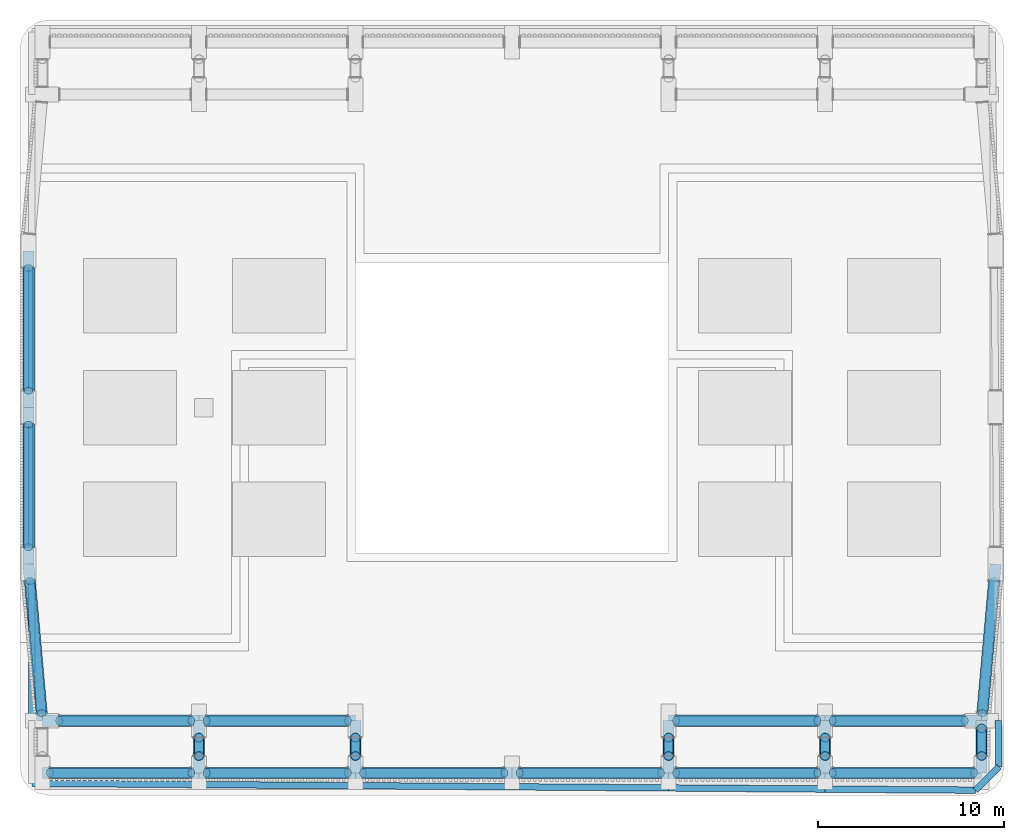
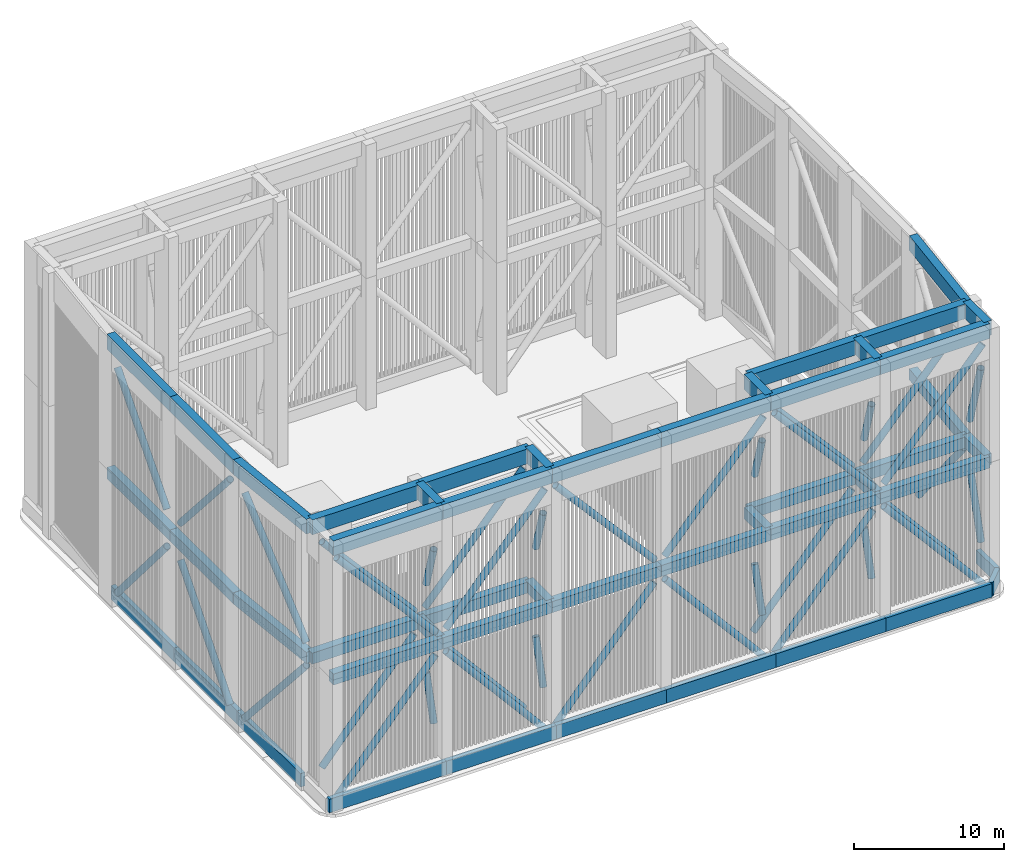
# One storey, part 2 of 27: 49 beams, 37 members.
"""IFC4 building model written with IfcOpenShell, lengths in metres."""

from ifc_helpers import new_model, si_unit, direction, frame, origin, origin_2d, place, context, subcontext, project, spatial, rectangle, hollow_circle, extrude, material, material_profile, profile_set, type_object, element, save


model = new_model("IFC4")

# Units and contexts
model_context = context("Model", 3, precision=1e-05, world=origin(), true_north=direction((0.0, 1.0)))
body_context = subcontext(model_context, "Body", "Model", "MODEL_VIEW")
ifc_project = project(units=[si_unit("LENGTHUNIT", "METRE"), si_unit("AREAUNIT", "SQUARE_METRE"), si_unit("VOLUMEUNIT", "CUBIC_METRE"), si_unit("PLANEANGLEUNIT", "RADIAN"), si_unit("MASSUNIT", "GRAM", prefix="KILO")], contexts=[model_context])

# Site, building, storey
site_placement = place(None, origin())
site = spatial("IfcSite", under=ifc_project, at=site_placement, CompositionType="ELEMENT")
building_placement = place(site_placement, origin())
building = spatial("IfcBuilding", under=site, at=building_placement, Name="Claustro Exchange Tower", CompositionType="ELEMENT")
storey_placement = place(building_placement, frame((0.0, 0.0, 287.10009765625)))
storey = spatial("IfcBuildingStorey", under=building, at=storey_placement, Name="ROOF", CompositionType="ELEMENT", Elevation=287.10009765625)

# Beams
ifc_material_1 = material(Name="Concrete HA-50 (C50/60)", Category="concrete")
ifc_material_profile_1 = material_profile(ifc_material_1, rectangle(XDim=0.60009765625, YDim=0.89990234375, at=origin_2d()), Name="RC 600x900")
ifc_profile_set_1 = profile_set([ifc_material_profile_1], Name="Concrete HA-50 (C50/60)")
beam_type_1 = type_object("IfcBeamType", Name="CF2 RC 600x900 crown frame ring beam", PredefinedType="BEAM", material=ifc_profile_set_1)
beam_1_placement = place(storey_placement, frame((0.0, 5.60009765625, 10.349853515625), z_axis=(1.0, 0.0, 0.0), x_axis=(0.0, 1.0, 0.0)))
element("IfcBeam", 1, at=beam_1_placement, inside=storey, type_object=beam_type_1, Name="CROWN FRAME ring beam CF2", PredefinedType="BEAM", context=body_context, shape_type="SweptSolid", body=[
    extrude(rectangle(XDim=0.60009765625, YDim=0.89990234375, at=origin_2d()), origin(), (0.0, 0.0, 1.0), 8.39990234375),
])
beam_2_placement = place(storey_placement, frame((8.39990234375, 5.60009765625, 10.349853515625), z_axis=(1.0, 0.0, 0.0), x_axis=(0.0, 1.0, 0.0)))
element("IfcBeam", 2, at=beam_2_placement, inside=storey, type_object=beam_type_1, Name="CROWN FRAME ring beam CF2", PredefinedType="BEAM", context=body_context, shape_type="SweptSolid", body=[
    extrude(rectangle(XDim=0.60009765625, YDim=0.89990234375, at=origin_2d()), origin(), (0.0, 0.0, 1.0), 8.400146484375),
])
beam_3_placement = place(storey_placement, frame((16.800048828125, 5.60009765625, 10.349853515625), z_axis=(1.0, 0.0, 0.0), x_axis=(0.0, 1.0, 0.0)))
element("IfcBeam", 3, at=beam_3_placement, inside=storey, type_object=beam_type_1, Name="CROWN FRAME ring beam CF2", PredefinedType="BEAM", context=body_context, shape_type="SweptSolid", body=[
    extrude(rectangle(XDim=0.60009765625, YDim=0.89990234375, at=origin_2d()), origin(), (0.0, 0.0, 1.0), 8.39990234375),
])
beam_4_placement = place(storey_placement, frame((25.199951171875, 5.60009765625, 10.349853515625), z_axis=(1.0, 0.0, 0.0), x_axis=(0.0, 1.0, 0.0)))
element("IfcBeam", 4, at=beam_4_placement, inside=storey, type_object=beam_type_1, Name="CROWN FRAME ring beam CF2", PredefinedType="BEAM", context=body_context, shape_type="SweptSolid", body=[
    extrude(rectangle(XDim=0.60009765625, YDim=0.89990234375, at=origin_2d()), origin(), (0.0, 0.0, 1.0), 8.400146484375),
])
for number, where, z_axis, x_axis, name in (
    (5, (33.60009765625, 5.60009765625, 10.349853515625), (1.0, 0.0, 0.0), (0.0, 1.0, 0.0), "CROWN FRAME ring beam CF2"),
    (6, (42.0, 5.60009765625, 10.349853515625), (1.0, 0.0, 0.0), (0.0, 1.0, 0.0), "CROWN FRAME ring beam CF2"),
):
    element("IfcBeam", number, at=place(storey_placement, frame(where, z_axis=z_axis, x_axis=x_axis)), inside=storey, type_object=beam_type_1, Name=name, PredefinedType="BEAM", context=body_context, shape_type="SweptSolid", body=[
        extrude(rectangle(XDim=0.60009765625, YDim=0.89990234375, at=origin_2d()), origin(), (0.0, 0.0, 1.0), 8.39990234375),
    ])
beam_5_placement = place(storey_placement, frame((0.0, 8.39990234375, 10.349853515625), z_axis=(-0.088930399417, 0.996037842685, 0.0), x_axis=(-0.996037842685, -0.088930399417, 0.0)))
element("IfcBeam", 7, at=beam_5_placement, inside=storey, type_object=beam_type_1, Name="CROWN FRAME ring beam CF2", PredefinedType="BEAM", context=body_context, shape_type="SweptSolid", body=[
    extrude(rectangle(XDim=0.60009765625, YDim=0.89990234375, at=origin_2d()), origin(), (0.0, 0.0, 1.0), 8.43359375),
])
beam_6_placement = place(storey_placement, frame((-0.75, 16.800048828125, 10.349853515625), z_axis=(0.0, 1.0, 0.0), x_axis=(-1.0, 0.0, 0.0)))
element("IfcBeam", 8, at=beam_6_placement, inside=storey, type_object=beam_type_1, Name="CROWN FRAME ring beam CF2", PredefinedType="BEAM", context=body_context, shape_type="SweptSolid", body=[
    extrude(rectangle(XDim=0.60009765625, YDim=0.89990234375, at=origin_2d()), origin(), (0.0, 0.0, 1.0), 8.39990234375),
])
beam_7_placement = place(storey_placement, frame((-0.75, 25.199951171875, 10.349853515625), z_axis=(0.0, 1.0, 0.0), x_axis=(-1.0, 0.0, 0.0)))
element("IfcBeam", 9, at=beam_7_placement, inside=storey, type_object=beam_type_1, Name="CROWN FRAME ring beam CF2", PredefinedType="BEAM", context=body_context, shape_type="SweptSolid", body=[
    extrude(rectangle(XDim=0.60009765625, YDim=0.89990234375, at=origin_2d()), origin(), (0.0, 0.0, 1.0), 8.400146484375),
])
beam_8_placement = place(storey_placement, frame((50.39990234375, 5.60009765625, 10.349853515625), z_axis=(0.0, 1.0, 0.0), x_axis=(-1.0, 0.0, 0.0)))
element("IfcBeam", 10, at=beam_8_placement, inside=storey, type_object=beam_type_1, Name="CROWN FRAME ring beam CF2", PredefinedType="BEAM", context=body_context, shape_type="SweptSolid", body=[
    extrude(rectangle(XDim=0.60009765625, YDim=0.89990234375, at=origin_2d()), origin(), (0.0, 0.0, 1.0), 2.7998046875),
])
beam_9_placement = place(storey_placement, frame((50.39990234375, 8.39990234375, 10.349853515625), z_axis=(0.088930399417, 0.996037842685, 0.0), x_axis=(-0.996037842685, 0.088930399417, 0.0)))
element("IfcBeam", 11, at=beam_9_placement, inside=storey, type_object=beam_type_1, Name="CROWN FRAME ring beam CF2", PredefinedType="BEAM", context=body_context, shape_type="SweptSolid", body=[
    extrude(rectangle(XDim=0.60009765625, YDim=0.89990234375, at=origin_2d()), origin(), (0.0, 0.0, 1.0), 8.43359375),
])
beam_10_placement = place(storey_placement, frame((0.0, 8.39990234375, 10.349853515625), z_axis=(1.0, 0.0, 0.0), x_axis=(0.0, 1.0, 0.0)))
element("IfcBeam", 12, at=beam_10_placement, inside=storey, type_object=beam_type_1, Name="CROWN FRAME ring beam CF2", PredefinedType="BEAM", context=body_context, shape_type="SweptSolid", body=[
    extrude(rectangle(XDim=0.60009765625, YDim=0.89990234375, at=origin_2d()), origin(), (0.0, 0.0, 1.0), 8.39990234375),
])
beam_11_placement = place(storey_placement, frame((8.39990234375, 8.39990234375, 10.349853515625), z_axis=(1.0, 0.0, 0.0), x_axis=(0.0, 1.0, 0.0)))
element("IfcBeam", 13, at=beam_11_placement, inside=storey, type_object=beam_type_1, Name="CROWN FRAME ring beam CF2", PredefinedType="BEAM", context=body_context, shape_type="SweptSolid", body=[
    extrude(rectangle(XDim=0.60009765625, YDim=0.89990234375, at=origin_2d()), origin(), (0.0, 0.0, 1.0), 8.400146484375),
])
for number, where, z_axis, x_axis, name in (
    (14, (33.60009765625, 8.39990234375, 10.349853515625), (1.0, 0.0, 0.0), (0.0, 1.0, 0.0), "CROWN FRAME ring beam CF2"),
    (15, (42.0, 8.39990234375, 10.349853515625), (1.0, 0.0, 0.0), (0.0, 1.0, 0.0), "CROWN FRAME ring beam CF2"),
):
    element("IfcBeam", number, at=place(storey_placement, frame(where, z_axis=z_axis, x_axis=x_axis)), inside=storey, type_object=beam_type_1, Name=name, PredefinedType="BEAM", context=body_context, shape_type="SweptSolid", body=[
        extrude(rectangle(XDim=0.60009765625, YDim=0.89990234375, at=origin_2d()), origin(), (0.0, 0.0, 1.0), 8.39990234375),
    ])
for number, where, z_axis, x_axis, name in (
    (16, (8.39990234375, 5.60009765625, 10.349853515625), (0.0, 1.0, 0.0), (-1.0, 0.0, 0.0), "CROWN FRAME ring beam CF2"),
    (17, (16.800048828125, 5.60009765625, 10.349853515625), (0.0, 1.0, 0.0), (-1.0, 0.0, 0.0), "CROWN FRAME ring beam CF2"),
    (18, (33.60009765625, 5.60009765625, 10.349853515625), (0.0, 1.0, 0.0), (-1.0, 0.0, 0.0), "CROWN FRAME ring beam CF2"),
    (19, (42.0, 5.60009765625, 10.349853515625), (0.0, 1.0, 0.0), (-1.0, 0.0, 0.0), "CROWN FRAME ring beam CF2"),
):
    element("IfcBeam", number, at=place(storey_placement, frame(where, z_axis=z_axis, x_axis=x_axis)), inside=storey, type_object=beam_type_1, Name=name, PredefinedType="BEAM", context=body_context, shape_type="SweptSolid", body=[
        extrude(rectangle(XDim=0.60009765625, YDim=0.89990234375, at=origin_2d()), origin(), (0.0, 0.0, 1.0), 2.7998046875),
    ])

# Members
ifc_material_2 = material(Name="Steel S355", Category="steel")
ifc_material_profile_2 = material_profile(ifc_material_2, hollow_circle(Radius=0.25390625, WallThickness=0.02490234375, at=origin_2d()), Name="CHS 508x25")
ifc_profile_set_2 = profile_set([ifc_material_profile_2], Name="Steel S355")
member_type = type_object("IfcMemberType", Name="CF3 CHS 508x25 crown frame brace", PredefinedType="BRACE", material=ifc_profile_set_2)
for number, where, z_axis, x_axis, name in (
    (20, (0.405029296875, 5.60009765625, 0.477294921875), (0.646983681382, 0.0, 0.762503846564), (0.0, 1.0, 0.0), "CROWN FRAME brace CF3 lower"),
    (21, (16.39501953125, 5.60009765625, 0.477294921875), (-0.646983681382, 0.0, 0.762503846564), (0.0, -1.0, 0.0), "CROWN FRAME brace CF3 lower"),
    (22, (17.205078125, 5.60009765625, 0.477294921875), (0.646971581548, 0.0, 0.762514113095), (0.0, 1.0, 0.0), "CROWN FRAME brace CF3 lower"),
    (23, (33.195068359375, 5.60009765625, 0.477294921875), (-0.646983681382, 0.0, 0.762503846564), (0.0, -1.0, 0.0), "CROWN FRAME brace CF3 lower"),
    (24, (34.0048828125, 5.60009765625, 0.477294921875), (0.646983681382, 0.0, 0.762503846564), (0.0, 1.0, 0.0), "CROWN FRAME brace CF3 lower"),
    (25, (49.9951171875, 5.60009765625, 0.477294921875), (-0.646983681382, 0.0, 0.762503846564), (0.0, -1.0, 0.0), "CROWN FRAME brace CF3 lower"),
):
    element("IfcMember", number, at=place(storey_placement, frame(where, z_axis=z_axis, x_axis=x_axis)), inside=storey, type_object=member_type, Name=name, PredefinedType="BRACE", context=body_context, shape_type="SweptSolid", body=[
        extrude(hollow_circle(Radius=0.25390625, WallThickness=0.02490234375, at=origin_2d()), origin(), (0.0, 0.0, 1.0), 11.7314453125),
    ])
member_1_placement = place(storey_placement, frame((-0.669189453125, 15.89501953125, 1.06640625), z_axis=(0.057670787819, -0.645899478998, 0.761241054635), x_axis=(0.996037542559, 0.088933760816, 0.0)))
element("IfcMember", 26, at=member_1_placement, inside=storey, type_object=member_type, Name="CROWN FRAME brace CF3 lower", PredefinedType="BRACE", context=body_context, shape_type="SweptSolid", body=[
    extrude(hollow_circle(Radius=0.25390625, WallThickness=0.02490234375, at=origin_2d()), origin(), (0.0, 0.0, 1.0), 10.97705078125),
])
member_2_placement = place(storey_placement, frame((-0.75, 17.705078125, 1.06640625), z_axis=(0.0, 0.646965623684, 0.762519168134), x_axis=(-1.0, 0.0, 0.0)))
element("IfcMember", 27, at=member_2_placement, inside=storey, type_object=member_type, Name="CROWN FRAME brace CF3 lower", PredefinedType="BRACE", context=body_context, shape_type="SweptSolid", body=[
    extrude(hollow_circle(Radius=0.25390625, WallThickness=0.02490234375, at=origin_2d()), origin(), (0.0, 0.0, 1.0), 10.185791015625),
])
member_3_placement = place(storey_placement, frame((-0.75, 32.695068359375, 1.06640625), z_axis=(0.0, -0.646979559666, 0.762507343817), x_axis=(1.0, 0.0, 0.0)))
element("IfcMember", 28, at=member_3_placement, inside=storey, type_object=member_type, Name="CROWN FRAME brace CF3 lower", PredefinedType="BRACE", context=body_context, shape_type="SweptSolid", body=[
    extrude(hollow_circle(Radius=0.25390625, WallThickness=0.02490234375, at=origin_2d()), origin(), (0.0, 0.0, 1.0), 10.18603515625),
])
member_4_placement = place(storey_placement, frame((50.39990234375, 6.5048828125, 3.19970703125), z_axis=(0.0, 0.272187703324, 0.962244175955), x_axis=(-1.0, 0.0, 0.0)))
element("IfcMember", 29, at=member_4_placement, inside=storey, type_object=member_type, Name="CROWN FRAME brace CF3 lower", PredefinedType="BRACE", context=body_context, shape_type="SweptSolid", body=[
    extrude(hollow_circle(Radius=0.25390625, WallThickness=0.02490234375, at=origin_2d()), origin(), (0.0, 0.0, 1.0), 5.47509765625),
])
member_5_placement = place(storey_placement, frame((51.069091796875, 15.89501953125, 1.06640625), z_axis=(-0.057648620796, -0.645900307305, 0.761242030857), x_axis=(0.996040580118, -0.088899734295, 0.0)))
element("IfcMember", 30, at=member_5_placement, inside=storey, type_object=member_type, Name="CROWN FRAME brace CF3 lower", PredefinedType="BRACE", context=body_context, shape_type="SweptSolid", body=[
    extrude(hollow_circle(Radius=0.25390625, WallThickness=0.02490234375, at=origin_2d()), origin(), (0.0, 0.0, 1.0), 10.97705078125),
])
member_6_placement = place(storey_placement, frame((0.905029296875, 8.39990234375, 1.06640625), z_axis=(0.646976270658, 0.0, 0.762510134493), x_axis=(0.0, 1.0, 0.0)))
element("IfcMember", 31, at=member_6_placement, inside=storey, type_object=member_type, Name="CROWN FRAME brace CF3 lower", PredefinedType="BRACE", context=body_context, shape_type="SweptSolid", body=[
    extrude(hollow_circle(Radius=0.25390625, WallThickness=0.02490234375, at=origin_2d()), origin(), (0.0, 0.0, 1.0), 10.958740234375),
])
for number, where, z_axis, x_axis, name in (
    (32, (16.39501953125, 8.39990234375, 0.477294921875), (-0.646983681382, 0.0, 0.762503846564), (0.0, -1.0, 0.0), "CROWN FRAME brace CF3 lower"),
    (33, (34.0048828125, 8.39990234375, 0.477294921875), (0.646983681382, 0.0, 0.762503846564), (0.0, 1.0, 0.0), "CROWN FRAME brace CF3 lower"),
):
    element("IfcMember", number, at=place(storey_placement, frame(where, z_axis=z_axis, x_axis=x_axis)), inside=storey, type_object=member_type, Name=name, PredefinedType="BRACE", context=body_context, shape_type="SweptSolid", body=[
        extrude(hollow_circle(Radius=0.25390625, WallThickness=0.02490234375, at=origin_2d()), origin(), (0.0, 0.0, 1.0), 11.7314453125),
    ])
member_7_placement = place(storey_placement, frame((49.4951171875, 8.39990234375, 1.06640625), z_axis=(-0.646976270658, 0.0, 0.762510134493), x_axis=(0.0, -1.0, 0.0)))
element("IfcMember", 34, at=member_7_placement, inside=storey, type_object=member_type, Name="CROWN FRAME brace CF3 lower", PredefinedType="BRACE", context=body_context, shape_type="SweptSolid", body=[
    extrude(hollow_circle(Radius=0.25390625, WallThickness=0.02490234375, at=origin_2d()), origin(), (0.0, 0.0, 1.0), 10.958740234375),
])
for number, where, z_axis, x_axis, name in (
    (35, (8.39990234375, 6.5048828125, 3.19970703125), (0.0, 0.272202884607, 0.962239881532), (-1.0, 0.0, 0.0), "CROWN FRAME brace CF3 lower"),
    (36, (16.800048828125, 6.5048828125, 3.19970703125), (0.0, 0.272202884607, 0.962239881532), (-1.0, 0.0, 0.0), "CROWN FRAME brace CF3 lower"),
    (37, (33.60009765625, 6.5048828125, 3.19970703125), (0.0, 0.272202884607, 0.962239881532), (-1.0, 0.0, 0.0), "CROWN FRAME brace CF3 lower"),
    (38, (42.0, 6.5048828125, 3.19970703125), (0.0, 0.272202884607, 0.962239881532), (-1.0, 0.0, 0.0), "CROWN FRAME brace CF3 lower"),
):
    element("IfcMember", number, at=place(storey_placement, frame(where, z_axis=z_axis, x_axis=x_axis)), inside=storey, type_object=member_type, Name=name, PredefinedType="BRACE", context=body_context, shape_type="SweptSolid", body=[
        extrude(hollow_circle(Radius=0.25390625, WallThickness=0.02490234375, at=origin_2d()), origin(), (0.0, 0.0, 1.0), 3.637939453125),
    ])
for number, where, z_axis, x_axis, name in (
    (39, (7.9951171875, 5.60009765625, 11.2626953125), (-0.658507606995, 0.0, 0.75257407046), (0.0, -1.0, 0.0), "CROWN FRAME brace CF3 upper"),
    (40, (8.804931640625, 5.60009765625, 11.2626953125), (0.658507606995, 0.0, 0.75257407046), (0.0, 1.0, 0.0), "CROWN FRAME brace CF3 upper"),
    (41, (24.794921875, 5.60009765625, 11.2626953125), (-0.6584956103, 0.0, 0.752584567484), (0.0, -1.0, 0.0), "CROWN FRAME brace CF3 upper"),
    (42, (25.60498046875, 5.60009765625, 11.2626953125), (0.658507606995, 0.0, 0.75257407046), (0.0, 1.0, 0.0), "CROWN FRAME brace CF3 upper"),
    (43, (41.594970703125, 5.60009765625, 11.2626953125), (-0.658507606995, 0.0, 0.75257407046), (0.0, -1.0, 0.0), "CROWN FRAME brace CF3 upper"),
    (44, (42.405029296875, 5.60009765625, 11.2626953125), (0.658507606995, 0.0, 0.75257407046), (0.0, 1.0, 0.0), "CROWN FRAME brace CF3 upper"),
):
    element("IfcMember", number, at=place(storey_placement, frame(where, z_axis=z_axis, x_axis=x_axis)), inside=storey, type_object=member_type, Name=name, PredefinedType="BRACE", context=body_context, shape_type="SweptSolid", body=[
        extrude(hollow_circle(Radius=0.25390625, WallThickness=0.02490234375, at=origin_2d()), origin(), (0.0, 0.0, 1.0), 11.526123046875),
    ])
member_8_placement = place(storey_placement, frame((-0.0361328125, 8.804931640625, 11.2626953125), z_axis=(-0.058694617174, 0.657366130869, 0.751282045507), x_axis=(-0.996037542559, -0.088933760816, 0.0)))
element("IfcMember", 45, at=member_8_placement, inside=storey, type_object=member_type, Name="CROWN FRAME brace CF3 upper", PredefinedType="BRACE", context=body_context, shape_type="SweptSolid", body=[
    extrude(hollow_circle(Radius=0.25390625, WallThickness=0.02490234375, at=origin_2d()), origin(), (0.0, 0.0, 1.0), 10.78564453125),
])
for number, where, z_axis, x_axis, name in (
    (46, (-0.75, 24.294921875, 11.834228515625), (0.0, -0.65849251781, 0.752587273337), (1.0, 0.0, 0.0), "CROWN FRAME brace CF3 upper"),
    (47, (-0.75, 26.10498046875, 11.834228515625), (0.0, 0.658506334978, 0.752575183482), (-1.0, 0.0, 0.0), "CROWN FRAME brace CF3 upper"),
):
    element("IfcMember", number, at=place(storey_placement, frame(where, z_axis=z_axis, x_axis=x_axis)), inside=storey, type_object=member_type, Name=name, PredefinedType="BRACE", context=body_context, shape_type="SweptSolid", body=[
        extrude(hollow_circle(Radius=0.25390625, WallThickness=0.02490234375, at=origin_2d()), origin(), (0.0, 0.0, 1.0), 10.007568359375),
    ])
member_9_placement = place(storey_placement, frame((50.39990234375, 7.9951171875, 12.1884765625), z_axis=(0.0, -0.280036995505, 0.959989208871), x_axis=(1.0, 0.0, 0.0)))
element("IfcMember", 48, at=member_9_placement, inside=storey, type_object=member_type, Name="CROWN FRAME brace CF3 upper", PredefinedType="BRACE", context=body_context, shape_type="SweptSolid", body=[
    extrude(hollow_circle(Radius=0.25390625, WallThickness=0.02490234375, at=origin_2d()), origin(), (0.0, 0.0, 1.0), 5.321533203125),
])
member_10_placement = place(storey_placement, frame((7.9951171875, 8.39990234375, 11.2626953125), z_axis=(-0.658501397259, 0.0, 0.752579503978), x_axis=(0.0, -1.0, 0.0)))
element("IfcMember", 49, at=member_10_placement, inside=storey, type_object=member_type, Name="CROWN FRAME brace CF3 upper", PredefinedType="BRACE", context=body_context, shape_type="SweptSolid", body=[
    extrude(hollow_circle(Radius=0.25390625, WallThickness=0.02490234375, at=origin_2d()), origin(), (0.0, 0.0, 1.0), 10.76708984375),
])
for number, where, z_axis, x_axis, name in (
    (50, (8.804931640625, 8.39990234375, 11.2626953125), (0.658507606995, 0.0, 0.75257407046), (0.0, 1.0, 0.0), "CROWN FRAME brace CF3 upper"),
    (51, (41.594970703125, 8.39990234375, 11.2626953125), (-0.658507606995, 0.0, 0.75257407046), (0.0, -1.0, 0.0), "CROWN FRAME brace CF3 upper"),
):
    element("IfcMember", number, at=place(storey_placement, frame(where, z_axis=z_axis, x_axis=x_axis)), inside=storey, type_object=member_type, Name=name, PredefinedType="BRACE", context=body_context, shape_type="SweptSolid", body=[
        extrude(hollow_circle(Radius=0.25390625, WallThickness=0.02490234375, at=origin_2d()), origin(), (0.0, 0.0, 1.0), 11.526123046875),
    ])
member_11_placement = place(storey_placement, frame((42.405029296875, 8.39990234375, 11.2626953125), z_axis=(0.658501397259, 0.0, 0.752579503978), x_axis=(0.0, 1.0, 0.0)))
element("IfcMember", 52, at=member_11_placement, inside=storey, type_object=member_type, Name="CROWN FRAME brace CF3 upper", PredefinedType="BRACE", context=body_context, shape_type="SweptSolid", body=[
    extrude(hollow_circle(Radius=0.25390625, WallThickness=0.02490234375, at=origin_2d()), origin(), (0.0, 0.0, 1.0), 10.76708984375),
])
for number, where, z_axis, x_axis, name in (
    (53, (8.39990234375, 7.4951171875, 13.90283203125), (0.0, -0.280060983128, 0.959982211152), (1.0, 0.0, 0.0), "CROWN FRAME brace CF3 upper"),
    (54, (16.800048828125, 7.4951171875, 13.90283203125), (0.0, -0.280060983128, 0.959982211152), (1.0, 0.0, 0.0), "CROWN FRAME brace CF3 upper"),
    (55, (33.60009765625, 7.4951171875, 13.90283203125), (0.0, -0.280060983128, 0.959982211152), (1.0, 0.0, 0.0), "CROWN FRAME brace CF3 upper"),
    (56, (42.0, 7.4951171875, 13.90283203125), (0.0, -0.280060983128, 0.959982211152), (1.0, 0.0, 0.0), "CROWN FRAME brace CF3 upper"),
):
    element("IfcMember", number, at=place(storey_placement, frame(where, z_axis=z_axis, x_axis=x_axis)), inside=storey, type_object=member_type, Name=name, PredefinedType="BRACE", context=body_context, shape_type="SweptSolid", body=[
        extrude(hollow_circle(Radius=0.25390625, WallThickness=0.02490234375, at=origin_2d()), origin(), (0.0, 0.0, 1.0), 3.535888671875),
    ])

# Beams
ifc_material_3 = material(Name="Concrete HA-50 (C50/60)", Category="concrete")
ifc_material_profile_3 = material_profile(ifc_material_3, rectangle(XDim=0.60009765625, YDim=1.199951171875, at=origin_2d()), Name="RC 600x1200")
ifc_profile_set_3 = profile_set([ifc_material_profile_3], Name="Concrete HA-50 (C50/60)")
beam_type_2 = type_object("IfcBeamType", Name="CF5 RC 600x1200 crown frame cap ring", PredefinedType="BEAM", material=ifc_profile_set_3)
beam_12_placement = place(storey_placement, frame((0.0, 5.60009765625, 21.0), z_axis=(1.0, 0.0, 0.0), x_axis=(0.0, 1.0, 0.0)))
element("IfcBeam", 57, at=beam_12_placement, inside=storey, type_object=beam_type_2, Name="CROWN FRAME cap ring CF5", PredefinedType="BEAM", context=body_context, shape_type="SweptSolid", body=[
    extrude(rectangle(XDim=0.60009765625, YDim=1.199951171875, at=origin_2d()), origin(), (0.0, 0.0, 1.0), 8.39990234375),
])
beam_13_placement = place(storey_placement, frame((8.39990234375, 5.60009765625, 21.0), z_axis=(1.0, 0.0, 0.0), x_axis=(0.0, 1.0, 0.0)))
element("IfcBeam", 58, at=beam_13_placement, inside=storey, type_object=beam_type_2, Name="CROWN FRAME cap ring CF5", PredefinedType="BEAM", context=body_context, shape_type="SweptSolid", body=[
    extrude(rectangle(XDim=0.60009765625, YDim=1.199951171875, at=origin_2d()), origin(), (0.0, 0.0, 1.0), 8.400146484375),
])
beam_14_placement = place(storey_placement, frame((16.800048828125, 5.60009765625, 21.0), z_axis=(1.0, 0.0, 0.0), x_axis=(0.0, 1.0, 0.0)))
element("IfcBeam", 59, at=beam_14_placement, inside=storey, type_object=beam_type_2, Name="CROWN FRAME cap ring CF5", PredefinedType="BEAM", context=body_context, shape_type="SweptSolid", body=[
    extrude(rectangle(XDim=0.60009765625, YDim=1.199951171875, at=origin_2d()), origin(), (0.0, 0.0, 1.0), 8.39990234375),
])
beam_15_placement = place(storey_placement, frame((25.199951171875, 5.60009765625, 21.0), z_axis=(1.0, 0.0, 0.0), x_axis=(0.0, 1.0, 0.0)))
element("IfcBeam", 60, at=beam_15_placement, inside=storey, type_object=beam_type_2, Name="CROWN FRAME cap ring CF5", PredefinedType="BEAM", context=body_context, shape_type="SweptSolid", body=[
    extrude(rectangle(XDim=0.60009765625, YDim=1.199951171875, at=origin_2d()), origin(), (0.0, 0.0, 1.0), 8.400146484375),
])
for number, where, z_axis, x_axis, name in (
    (61, (33.60009765625, 5.60009765625, 21.0), (1.0, 0.0, 0.0), (0.0, 1.0, 0.0), "CROWN FRAME cap ring CF5"),
    (62, (42.0, 5.60009765625, 21.0), (1.0, 0.0, 0.0), (0.0, 1.0, 0.0), "CROWN FRAME cap ring CF5"),
):
    element("IfcBeam", number, at=place(storey_placement, frame(where, z_axis=z_axis, x_axis=x_axis)), inside=storey, type_object=beam_type_2, Name=name, PredefinedType="BEAM", context=body_context, shape_type="SweptSolid", body=[
        extrude(rectangle(XDim=0.60009765625, YDim=1.199951171875, at=origin_2d()), origin(), (0.0, 0.0, 1.0), 8.39990234375),
    ])
beam_16_placement = place(storey_placement, frame((0.0, 8.39990234375, 21.0), z_axis=(-0.088930399417, 0.996037842685, 0.0), x_axis=(-0.996037842685, -0.088930399417, 0.0)))
element("IfcBeam", 63, at=beam_16_placement, inside=storey, type_object=beam_type_2, Name="CROWN FRAME cap ring CF5", PredefinedType="BEAM", context=body_context, shape_type="SweptSolid", body=[
    extrude(rectangle(XDim=0.60009765625, YDim=1.199951171875, at=origin_2d()), origin(), (0.0, 0.0, 1.0), 8.43359375),
])
beam_17_placement = place(storey_placement, frame((-0.75, 16.800048828125, 21.0), z_axis=(0.0, 1.0, 0.0), x_axis=(-1.0, 0.0, 0.0)))
element("IfcBeam", 64, at=beam_17_placement, inside=storey, type_object=beam_type_2, Name="CROWN FRAME cap ring CF5", PredefinedType="BEAM", context=body_context, shape_type="SweptSolid", body=[
    extrude(rectangle(XDim=0.60009765625, YDim=1.199951171875, at=origin_2d()), origin(), (0.0, 0.0, 1.0), 8.39990234375),
])
beam_18_placement = place(storey_placement, frame((-0.75, 25.199951171875, 21.0), z_axis=(0.0, 1.0, 0.0), x_axis=(-1.0, 0.0, 0.0)))
element("IfcBeam", 65, at=beam_18_placement, inside=storey, type_object=beam_type_2, Name="CROWN FRAME cap ring CF5", PredefinedType="BEAM", context=body_context, shape_type="SweptSolid", body=[
    extrude(rectangle(XDim=0.60009765625, YDim=1.199951171875, at=origin_2d()), origin(), (0.0, 0.0, 1.0), 8.400146484375),
])
beam_19_placement = place(storey_placement, frame((50.39990234375, 5.60009765625, 21.0), z_axis=(0.0, 1.0, 0.0), x_axis=(-1.0, 0.0, 0.0)))
element("IfcBeam", 66, at=beam_19_placement, inside=storey, type_object=beam_type_2, Name="CROWN FRAME cap ring CF5", PredefinedType="BEAM", context=body_context, shape_type="SweptSolid", body=[
    extrude(rectangle(XDim=0.60009765625, YDim=1.199951171875, at=origin_2d()), origin(), (0.0, 0.0, 1.0), 2.7998046875),
])
beam_20_placement = place(storey_placement, frame((50.39990234375, 8.39990234375, 21.0), z_axis=(0.088930399417, 0.996037842685, 0.0), x_axis=(-0.996037842685, 0.088930399417, 0.0)))
element("IfcBeam", 67, at=beam_20_placement, inside=storey, type_object=beam_type_2, Name="CROWN FRAME cap ring CF5", PredefinedType="BEAM", context=body_context, shape_type="SweptSolid", body=[
    extrude(rectangle(XDim=0.60009765625, YDim=1.199951171875, at=origin_2d()), origin(), (0.0, 0.0, 1.0), 8.43359375),
])
beam_21_placement = place(storey_placement, frame((0.0, 8.39990234375, 21.0), z_axis=(1.0, 0.0, 0.0), x_axis=(0.0, 1.0, 0.0)))
element("IfcBeam", 68, at=beam_21_placement, inside=storey, type_object=beam_type_2, Name="CROWN FRAME cap ring CF5", PredefinedType="BEAM", context=body_context, shape_type="SweptSolid", body=[
    extrude(rectangle(XDim=0.60009765625, YDim=1.199951171875, at=origin_2d()), origin(), (0.0, 0.0, 1.0), 8.39990234375),
])
beam_22_placement = place(storey_placement, frame((8.39990234375, 8.39990234375, 21.0), z_axis=(1.0, 0.0, 0.0), x_axis=(0.0, 1.0, 0.0)))
element("IfcBeam", 69, at=beam_22_placement, inside=storey, type_object=beam_type_2, Name="CROWN FRAME cap ring CF5", PredefinedType="BEAM", context=body_context, shape_type="SweptSolid", body=[
    extrude(rectangle(XDim=0.60009765625, YDim=1.199951171875, at=origin_2d()), origin(), (0.0, 0.0, 1.0), 8.400146484375),
])
for number, where, z_axis, x_axis, name in (
    (70, (33.60009765625, 8.39990234375, 21.0), (1.0, 0.0, 0.0), (0.0, 1.0, 0.0), "CROWN FRAME cap ring CF5"),
    (71, (42.0, 8.39990234375, 21.0), (1.0, 0.0, 0.0), (0.0, 1.0, 0.0), "CROWN FRAME cap ring CF5"),
):
    element("IfcBeam", number, at=place(storey_placement, frame(where, z_axis=z_axis, x_axis=x_axis)), inside=storey, type_object=beam_type_2, Name=name, PredefinedType="BEAM", context=body_context, shape_type="SweptSolid", body=[
        extrude(rectangle(XDim=0.60009765625, YDim=1.199951171875, at=origin_2d()), origin(), (0.0, 0.0, 1.0), 8.39990234375),
    ])
for number, where, z_axis, x_axis, name in (
    (72, (8.39990234375, 5.60009765625, 21.0), (0.0, 1.0, 0.0), (-1.0, 0.0, 0.0), "CROWN FRAME cap ring CF5"),
    (73, (16.800048828125, 5.60009765625, 21.0), (0.0, 1.0, 0.0), (-1.0, 0.0, 0.0), "CROWN FRAME cap ring CF5"),
    (74, (33.60009765625, 5.60009765625, 21.0), (0.0, 1.0, 0.0), (-1.0, 0.0, 0.0), "CROWN FRAME cap ring CF5"),
    (75, (42.0, 5.60009765625, 21.0), (0.0, 1.0, 0.0), (-1.0, 0.0, 0.0), "CROWN FRAME cap ring CF5"),
):
    element("IfcBeam", number, at=place(storey_placement, frame(where, z_axis=z_axis, x_axis=x_axis)), inside=storey, type_object=beam_type_2, Name=name, PredefinedType="BEAM", context=body_context, shape_type="SweptSolid", body=[
        extrude(rectangle(XDim=0.60009765625, YDim=1.199951171875, at=origin_2d()), origin(), (0.0, 0.0, 1.0), 2.7998046875),
    ])
ifc_material_4 = material(Name="Concrete HA-50 (C50/60)", Category="concrete")
ifc_material_profile_4 = material_profile(ifc_material_4, rectangle(XDim=0.35009765625, YDim=1.10009765625, at=origin_2d()), Name="RC 350x1100")
ifc_profile_set_4 = profile_set([ifc_material_profile_4], Name="Concrete HA-50 (C50/60)")
beam_type_3 = type_object("IfcBeamType", Name="CF6 RC 350x1100 crown frame base ring", PredefinedType="BEAM", material=ifc_profile_set_4)
beam_23_placement = place(storey_placement, frame((50.072998046875, 4.675048828125, 0.5498046875), z_axis=(-0.999974354926, 0.007161668141, 0.0), x_axis=(-0.007161668141, -0.999974354926, 0.0)))
element("IfcBeam", 76, at=beam_23_placement, inside=storey, type_object=beam_type_3, Name="CROWN FRAME base ring CF6", PredefinedType="BEAM", context=body_context, shape_type="SweptSolid", body=[
    extrude(rectangle(XDim=0.35009765625, YDim=1.10009765625, at=origin_2d()), origin(), (0.0, 0.0, 1.0), 8.079345703125),
])
for number, where, z_axis, x_axis, name in (
    (77, (41.993896484375, 4.73291015625, 0.5498046875), (-0.999974438847, 0.007149940763, 0.0), (-0.007149940763, -0.999974438847, 0.0), "CROWN FRAME base ring CF6"),
    (78, (33.59423828125, 4.79296875, 0.5498046875), (-0.999974438847, 0.007149940763, 0.0), (-0.007149940763, -0.999974438847, 0.0), "CROWN FRAME base ring CF6"),
):
    element("IfcBeam", number, at=place(storey_placement, frame(where, z_axis=z_axis, x_axis=x_axis)), inside=storey, type_object=beam_type_3, Name=name, PredefinedType="BEAM", context=body_context, shape_type="SweptSolid", body=[
        extrude(rectangle(XDim=0.35009765625, YDim=1.10009765625, at=origin_2d()), origin(), (0.0, 0.0, 1.0), 8.39990234375),
    ])
beam_24_placement = place(storey_placement, frame((25.194580078125, 4.85302734375, 0.5498046875), z_axis=(-0.99997422912, 0.007179212725, 0.0), x_axis=(-0.007179212725, -0.99997422912, 0.0)))
element("IfcBeam", 79, at=beam_24_placement, inside=storey, type_object=beam_type_3, Name="CROWN FRAME base ring CF6", PredefinedType="BEAM", context=body_context, shape_type="SweptSolid", body=[
    extrude(rectangle(XDim=0.35009765625, YDim=1.10009765625, at=origin_2d()), origin(), (0.0, 0.0, 1.0), 8.399658203125),
])
beam_25_placement = place(storey_placement, frame((16.795166015625, 4.913330078125, 0.5498046875), z_axis=(-0.999974438847, 0.007149940763, 0.0), x_axis=(-0.007149940763, -0.999974438847, 0.0)))
element("IfcBeam", 80, at=beam_25_placement, inside=storey, type_object=beam_type_3, Name="CROWN FRAME base ring CF6", PredefinedType="BEAM", context=body_context, shape_type="SweptSolid", body=[
    extrude(rectangle(XDim=0.35009765625, YDim=1.10009765625, at=origin_2d()), origin(), (0.0, 0.0, 1.0), 8.39990234375),
])
beam_26_placement = place(storey_placement, frame((8.3955078125, 4.973388671875, 0.5498046875), z_axis=(-0.999974312491, 0.00716759087, 0.0), x_axis=(-0.00716759087, -0.999974312491, 0.0)))
element("IfcBeam", 81, at=beam_26_placement, inside=storey, type_object=beam_type_3, Name="CROWN FRAME base ring CF6", PredefinedType="BEAM", context=body_context, shape_type="SweptSolid", body=[
    extrude(rectangle(XDim=0.35009765625, YDim=1.10009765625, at=origin_2d()), origin(), (0.0, 0.0, 1.0), 8.958251953125),
])
beam_27_placement = place(storey_placement, frame((-0.5625, 8.39990234375, 0.5498046875), z_axis=(0.0, 1.0, 0.0), x_axis=(-1.0, 0.0, 0.0)))
element("IfcBeam", 82, at=beam_27_placement, inside=storey, type_object=beam_type_3, Name="CROWN FRAME base ring CF6", PredefinedType="BEAM", context=body_context, shape_type="SweptSolid", body=[
    extrude(rectangle(XDim=0.35009765625, YDim=1.10009765625, at=origin_2d()), origin(), (0.0, 0.0, 1.0), 8.400146484375),
])
beam_28_placement = place(storey_placement, frame((-0.5625, 16.800048828125, 0.5498046875), z_axis=(0.0, 1.0, 0.0), x_axis=(-1.0, 0.0, 0.0)))
element("IfcBeam", 83, at=beam_28_placement, inside=storey, type_object=beam_type_3, Name="CROWN FRAME base ring CF6", PredefinedType="BEAM", context=body_context, shape_type="SweptSolid", body=[
    extrude(rectangle(XDim=0.35009765625, YDim=1.10009765625, at=origin_2d()), origin(), (0.0, 0.0, 1.0), 8.39990234375),
])
beam_29_placement = place(storey_placement, frame((-0.5625, 25.199951171875, 0.5498046875), z_axis=(0.0, 1.0, 0.0), x_axis=(-1.0, 0.0, 0.0)))
element("IfcBeam", 84, at=beam_29_placement, inside=storey, type_object=beam_type_3, Name="CROWN FRAME base ring CF6", PredefinedType="BEAM", context=body_context, shape_type="SweptSolid", body=[
    extrude(rectangle(XDim=0.35009765625, YDim=1.10009765625, at=origin_2d()), origin(), (0.0, 0.0, 1.0), 8.400146484375),
])
beam_30_placement = place(storey_placement, frame((51.30224609375, 8.408203125, 0.5498046875), z_axis=(0.009150458175, -0.999958133681, 0.0), x_axis=(0.999958133681, 0.009150458175, 0.0)))
element("IfcBeam", 85, at=beam_30_placement, inside=storey, type_object=beam_type_3, Name="CROWN FRAME base ring CF6", PredefinedType="BEAM", context=body_context, shape_type="SweptSolid", body=[
    extrude(rectangle(XDim=0.35009765625, YDim=1.10009765625, at=origin_2d()), origin(), (0.0, 0.0, 1.0), 2.481201171875),
])
beam_31_placement = place(storey_placement, frame((51.324951171875, 5.927001953125, 0.5498046875), z_axis=(-0.707106781187, -0.707106781187, 0.0), x_axis=(0.707106781187, -0.707106781187, 0.0)))
element("IfcBeam", 86, at=beam_31_placement, inside=storey, type_object=beam_type_3, Name="CROWN FRAME base ring CF6", PredefinedType="BEAM", context=body_context, shape_type="SweptSolid", body=[
    extrude(rectangle(XDim=0.35009765625, YDim=1.10009765625, at=origin_2d()), origin(), (0.0, 0.0, 1.0), 1.7705078125),
])

save(model, "model.ifc")
